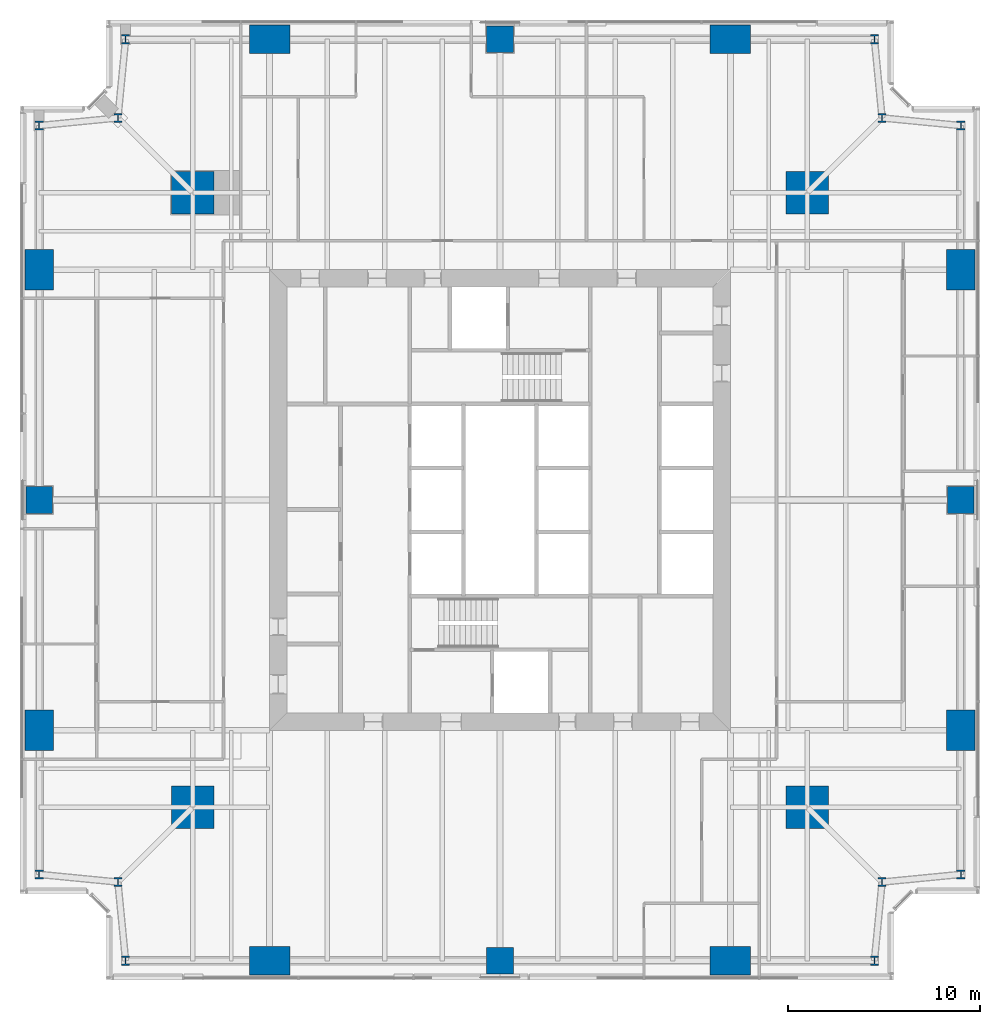
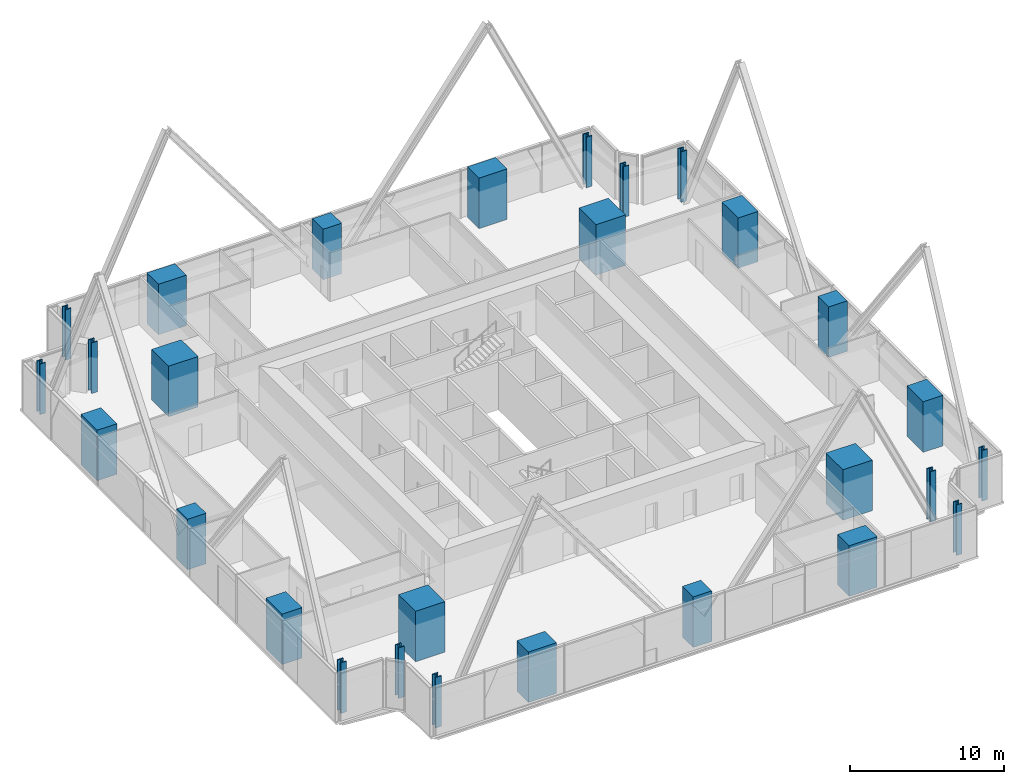
# One storey, part 1 of 13: 28 columns.
"""IFC4 building model written with IfcOpenShell, lengths in metres."""

from ifc_helpers import new_model, si_unit, direction, frame, origin, origin_2d, place, context, subcontext, project, spatial, rectangle, i_section, extrude, material, material_profile, profile_set, type_object, element, save


model = new_model("IFC4")

# Units and contexts
model_context = context("Model", 3, precision=1e-05, world=origin(), true_north=direction((0.0, 1.0)))
body_context = subcontext(model_context, "Body", "Model", "MODEL_VIEW")
ifc_project = project(units=[si_unit("LENGTHUNIT", "METRE"), si_unit("AREAUNIT", "SQUARE_METRE"), si_unit("VOLUMEUNIT", "CUBIC_METRE"), si_unit("PLANEANGLEUNIT", "RADIAN"), si_unit("MASSUNIT", "GRAM", prefix="KILO")], contexts=[model_context])

# Site, building, storey
site_placement = place(None, origin())
site = spatial("IfcSite", under=ifc_project, at=site_placement, CompositionType="ELEMENT")
building_placement = place(site_placement, origin())
building = spatial("IfcBuilding", under=site, at=building_placement, Name="Fenwick Lantern Interchange", CompositionType="ELEMENT")
storey_placement = place(building_placement, frame((0.0, 0.0, 114.39990234375)))
storey = spatial("IfcBuildingStorey", under=building, at=storey_placement, Name="L26", CompositionType="ELEMENT", Elevation=114.39990234375)

# Columns
ifc_material_1 = material(Name="Concrete f'c 70 MPa", Category="concrete")
ifc_material_profile_1 = material_profile(ifc_material_1, rectangle(XDim=2.199951171875, YDim=2.199951171875, at=origin_2d()), Name="RC2200X2200")
ifc_profile_set_1 = profile_set([ifc_material_profile_1], Name="Concrete f'c 70 MPa")
column_type_1 = type_object("IfcColumnType", Name="MEGA COLUMN RC2200X2200", PredefinedType="COLUMN", material=ifc_profile_set_1)
for number, where, z_axis, x_axis, name in (
    (1, (9.0, 9.0, 0.0), (0.0, 0.0, 1.0), (1.0, 0.0, 0.0), "L26/M1"),
    (2, (41.0, 9.0, 0.0), (0.0, 0.0, 1.0), (1.0, 0.0, 0.0), "L26/M2"),
    (3, (41.0, 41.0, 0.0), (0.0, 0.0, 1.0), (1.0, 0.0, 0.0), "L26/M3"),
    (4, (9.0, 41.0, 0.0), (0.0, 0.0, 1.0), (1.0, 0.0, 0.0), "L26/M4"),
):
    element("IfcColumn", number, at=place(storey_placement, frame(where, z_axis=z_axis, x_axis=x_axis)), inside=storey, type_object=column_type_1, Name=name, PredefinedType="COLUMN", context=body_context, shape_type="SweptSolid", body=[
        extrude(rectangle(XDim=2.199951171875, YDim=2.199951171875, at=origin_2d()), origin(), (0.0, 0.0, 1.0), 4.0),
    ])
ifc_material_profile_2 = material_profile(ifc_material_1, rectangle(XDim=1.39990234375, YDim=1.39990234375, at=origin_2d()), Name="RC1400X1400")
ifc_profile_set_2 = profile_set([ifc_material_profile_2], Name="Concrete f'c 70 MPa")
column_type_2 = type_object("IfcColumnType", Name="PERIMETER COLUMN RC1400X1400", PredefinedType="COLUMN", material=ifc_profile_set_2)
for number, where, z_axis, x_axis, name in (
    (5, (25.0, 1.0, 0.0), (0.0, 0.0, 1.0), (1.0, 0.0, 0.0), "L26/CS3"),
    (6, (49.0, 25.0, 0.0), (0.0, 0.0, 1.0), (1.0, 0.0, 0.0), "L26/CE3"),
    (7, (25.0, 49.0, 0.0), (0.0, 0.0, 1.0), (1.0, 0.0, 0.0), "L26/CN3"),
    (8, (1.0, 25.0, 0.0), (0.0, 0.0, 1.0), (1.0, 0.0, 0.0), "L26/CW3"),
):
    element("IfcColumn", number, at=place(storey_placement, frame(where, z_axis=z_axis, x_axis=x_axis)), inside=storey, type_object=column_type_2, Name=name, PredefinedType="COLUMN", context=body_context, shape_type="SweptSolid", body=[
        extrude(rectangle(XDim=1.39990234375, YDim=1.39990234375, at=origin_2d()), origin(), (0.0, 0.0, 1.0), 4.0),
    ])
ifc_material_profile_3 = material_profile(ifc_material_1, rectangle(XDim=1.5, YDim=2.10009765625, at=origin_2d()), Name="RC1500X2100")
ifc_profile_set_3 = profile_set([ifc_material_profile_3], Name="Concrete f'c 70 MPa")
column_type_3 = type_object("IfcColumnType", Name="PERIMETER COLUMN RC1500X2100", PredefinedType="COLUMN", material=ifc_profile_set_3)
for number, where, z_axis, x_axis, name in (
    (9, (49.0, 13.0, 0.0), (0.0, 0.0, 1.0), (1.0, 0.0, 0.0), "L26/CE2"),
    (10, (49.0, 37.0, 0.0), (0.0, 0.0, 1.0), (1.0, 0.0, 0.0), "L26/CE4"),
    (11, (1.0, 37.0, 0.0), (0.0, 0.0, 1.0), (1.0, 0.0, 0.0), "L26/CW2"),
    (12, (1.0, 13.0, 0.0), (0.0, 0.0, 1.0), (1.0, 0.0, 0.0), "L26/CW4"),
):
    element("IfcColumn", number, at=place(storey_placement, frame(where, z_axis=z_axis, x_axis=x_axis)), inside=storey, type_object=column_type_3, Name=name, PredefinedType="COLUMN", context=body_context, shape_type="SweptSolid", body=[
        extrude(rectangle(XDim=1.5, YDim=2.10009765625, at=origin_2d()), origin(), (0.0, 0.0, 1.0), 4.0),
    ])
ifc_material_profile_4 = material_profile(ifc_material_1, rectangle(XDim=2.10009765625, YDim=1.5, at=origin_2d()), Name="RC2100X1500")
ifc_profile_set_4 = profile_set([ifc_material_profile_4], Name="Concrete f'c 70 MPa")
column_type_4 = type_object("IfcColumnType", Name="PERIMETER COLUMN RC2100X1500", PredefinedType="COLUMN", material=ifc_profile_set_4)
for number, where, z_axis, x_axis, name in (
    (13, (13.0, 1.0, 0.0), (0.0, 0.0, 1.0), (1.0, 0.0, 0.0), "L26/CS2"),
    (14, (37.0, 1.0, 0.0), (0.0, 0.0, 1.0), (1.0, 0.0, 0.0), "L26/CS4"),
    (15, (37.0, 49.0, 0.0), (0.0, 0.0, 1.0), (1.0, 0.0, 0.0), "L26/CN2"),
    (16, (13.0, 49.0, 0.0), (0.0, 0.0, 1.0), (1.0, 0.0, 0.0), "L26/CN4"),
):
    element("IfcColumn", number, at=place(storey_placement, frame(where, z_axis=z_axis, x_axis=x_axis)), inside=storey, type_object=column_type_4, Name=name, PredefinedType="COLUMN", context=body_context, shape_type="SweptSolid", body=[
        extrude(rectangle(XDim=2.10009765625, YDim=1.5, at=origin_2d()), origin(), (0.0, 0.0, 1.0), 4.0),
    ])
ifc_material_2 = material(Name="Steel ASTM A992 Grade 50", Category="steel")
ifc_material_profile_5 = material_profile(ifc_material_2, i_section(OverallWidth=0.424072265625, OverallDepth=0.47509765625, WebThickness=0.0478515625, FlangeThickness=0.0771484375, at=origin_2d()), Name="W14X426")
ifc_profile_set_5 = profile_set([ifc_material_profile_5], Name="Steel ASTM A992 Grade 50")
column_type_5 = type_object("IfcColumnType", Name="PERIMETER COLUMN W14X426", PredefinedType="COLUMN", material=ifc_profile_set_5)
for number, where, z_axis, x_axis, name in (
    (17, (5.5, 1.0, 0.0), (0.0, 0.0, 1.0), (1.0, 0.0, 0.0), "L26/CS1"),
    (18, (44.5, 1.0, 0.0), (0.0, 0.0, 1.0), (1.0, 0.0, 0.0), "L26/CS5"),
    (19, (44.89990234375, 5.10009765625, 0.0), (0.0, 0.0, 1.0), (1.0, 0.0, 0.0), "L26/CSR"),
    (20, (49.0, 5.5, 0.0), (0.0, 0.0, 1.0), (1.0, 0.0, 0.0), "L26/CE1"),
    (21, (49.0, 44.5, 0.0), (0.0, 0.0, 1.0), (1.0, 0.0, 0.0), "L26/CE5"),
    (22, (44.89990234375, 44.89990234375, 0.0), (0.0, 0.0, 1.0), (1.0, 0.0, 0.0), "L26/CER"),
    (23, (44.5, 49.0, 0.0), (0.0, 0.0, 1.0), (1.0, 0.0, 0.0), "L26/CN1"),
    (24, (5.5, 49.0, 0.0), (0.0, 0.0, 1.0), (1.0, 0.0, 0.0), "L26/CN5"),
    (25, (5.10009765625, 44.89990234375, 0.0), (0.0, 0.0, 1.0), (1.0, 0.0, 0.0), "L26/CNR"),
    (26, (1.0, 44.5, 0.0), (0.0, 0.0, 1.0), (1.0, 0.0, 0.0), "L26/CW1"),
    (27, (1.0, 5.5, 0.0), (0.0, 0.0, 1.0), (1.0, 0.0, 0.0), "L26/CW5"),
    (28, (5.10009765625, 5.10009765625, 0.0), (0.0, 0.0, 1.0), (1.0, 0.0, 0.0), "L26/CWR"),
):
    element("IfcColumn", number, at=place(storey_placement, frame(where, z_axis=z_axis, x_axis=x_axis)), inside=storey, type_object=column_type_5, Name=name, PredefinedType="COLUMN", context=body_context, shape_type="SweptSolid", body=[
        extrude(i_section(OverallWidth=0.424072265625, OverallDepth=0.47509765625, WebThickness=0.0478515625, FlangeThickness=0.0771484375, at=origin_2d()), origin(), (0.0, 0.0, 1.0), 4.0),
    ])

save(model, "model.ifc")
